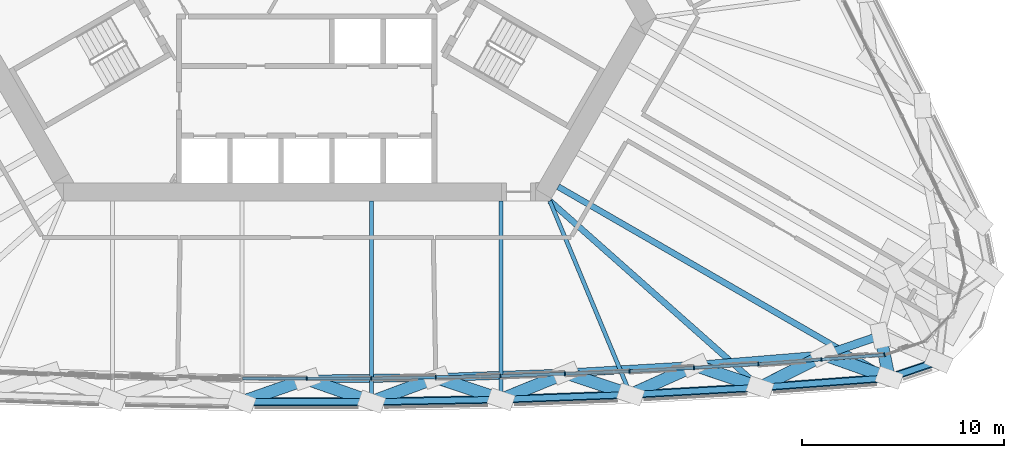
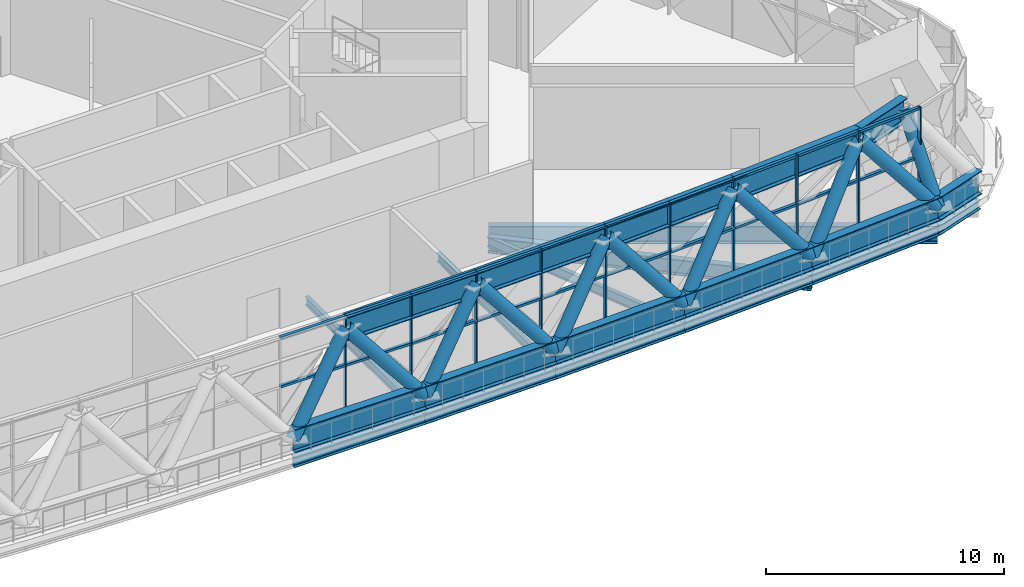
# One storey, part 5 of 43: 52 members, 11 beams, 2 elements without a shape of their own.
"""IFC4 building model written with IfcOpenShell, lengths in metres."""

from ifc_helpers import new_model, si_unit, direction, frame, origin, origin_2d, place, context, subcontext, project, spatial, rectangle, hollow_circle, i_section, extrude, material, material_profile, profile_set, type_object, element, aggregate, save


model = new_model("IFC4")

# Units and contexts
model_context = context("Model", 3, precision=1e-05, world=origin(), true_north=direction((0.0, 1.0)))
body_context = subcontext(model_context, "Body", "Model", "MODEL_VIEW")
ifc_project = project(units=[si_unit("LENGTHUNIT", "METRE"), si_unit("AREAUNIT", "SQUARE_METRE"), si_unit("VOLUMEUNIT", "CUBIC_METRE"), si_unit("PLANEANGLEUNIT", "RADIAN"), si_unit("MASSUNIT", "GRAM", prefix="KILO")], contexts=[model_context])

# Site, building, storey
site_placement = place(None, origin())
site = spatial("IfcSite", under=ifc_project, at=site_placement, CompositionType="ELEMENT")
building_placement = place(site_placement, origin())
building = spatial("IfcBuilding", under=site, at=building_placement, Name="Mestral Congress Tower", CompositionType="ELEMENT")
storey_placement = place(building_placement, frame((0.0, 0.0, 78.300048828125)))
storey = spatial("IfcBuildingStorey", under=building, at=storey_placement, Name="L18", CompositionType="ELEMENT", Elevation=78.300048828125)

# Members
ifc_material_1 = material(Name="Steel S355", Category="steel")
ifc_material_profile_1 = material_profile(ifc_material_1, i_section(OverallWidth=0.39990234375, OverallDepth=1.199951171875, WebThickness=0.02001953125, FlangeThickness=0.0400390625, FilletRadius=0.010009765625, at=origin_2d()), Name="WPG 1200")
ifc_profile_set_1 = profile_set([ifc_material_profile_1], Name="Steel S355")
member_type_1 = type_object("IfcMemberType", Name="Belt chord WPG 1200 S355", PredefinedType="CHORD", material=ifc_profile_set_1)
for number, where, z_axis, x_axis, name in (
    (1, (-3.199951171875, -22.9130859375, 0.599853515625), (1.0, 0.0, 0.0), (0.0, 1.0, 0.0), "MB-L18-BC1-S04"),
    (2, (3.199951171875, -22.9130859375, 0.599853515625), (0.99982954269, 0.018463086557, 0.0), (-0.018463086557, 0.99982954269, 0.0), "MB-L18-BC1-S05"),
    (3, (9.598876953125, -22.794921875, 0.599853515625), (0.999316557166, 0.0369650994, 0.0), (-0.0369650994, 0.999316557166, 0.0), "MB-L18-BC1-S06"),
    (4, (15.994384765625, -22.558349609375, 0.599853515625), (0.998462699826, 0.055427764302, 0.0), (-0.055427764302, 0.998462699826, 0.0), "MB-L18-BC1-S07"),
    (5, (22.384521484375, -22.20361328125, 0.599853515625), (0.997266192922, 0.073892763204, 0.0), (-0.073892763204, 0.997266192922, 0.0), "MB-L18-BC1-S08"),
):
    element("IfcMember", number, at=place(storey_placement, frame(where, z_axis=z_axis, x_axis=x_axis)), inside=storey, type_object=member_type_1, Name=name, PredefinedType="CHORD", context=body_context, shape_type="SweptSolid", body=[
        extrude(i_section(OverallWidth=0.39990234375, OverallDepth=1.199951171875, WebThickness=0.02001953125, FlangeThickness=0.0400390625, FilletRadius=0.010009765625, at=origin_2d()), origin(), (0.0, 0.0, 1.0), 6.39990234375),
    ])
member_1_placement = place(storey_placement, frame((28.766845703125, -21.730712890625, 0.599853515625), z_axis=(0.947913310096, 0.318528423446, 0.0), x_axis=(-0.318528423446, 0.947913310096, 0.0)))
element("IfcMember", 6, at=member_1_placement, inside=storey, type_object=member_type_1, Name="MB-L18-BC1-S09", PredefinedType="CHORD", context=body_context, shape_type="SweptSolid", body=[
    extrude(i_section(OverallWidth=0.39990234375, OverallDepth=1.199951171875, WebThickness=0.02001953125, FlangeThickness=0.0400390625, FilletRadius=0.010009765625, at=origin_2d()), origin(), (0.0, 0.0, 1.0), 2.57763671875),
])
for number, where, z_axis, x_axis, name in (
    (7, (0.0, -21.793701171875, 4.550048828125), (0.999931419324, 0.011711389659, 0.0), (-0.011711389659, 0.999931419324, 0.0), "MB-L18-TC1-S04"),
    (8, (6.3994140625, -21.71875, 4.550048828125), (0.999385298652, 0.035057450548, 0.0), (-0.035057450548, 0.999385298652, 0.0), "MB-L18-TC1-S05"),
    (9, (12.79541015625, -21.494384765625, 4.550048828125), (0.998290777072, 0.058442488077, 0.0), (-0.058442488077, 0.998290777072, 0.0), "MB-L18-TC1-S06"),
    (10, (19.184326171875, -21.120361328125, 4.550048828125), (0.996652784164, 0.081751011118, 0.0), (-0.081751011118, 0.996652784164, 0.0), "MB-L18-TC1-S07"),
):
    element("IfcMember", number, at=place(storey_placement, frame(where, z_axis=z_axis, x_axis=x_axis)), inside=storey, type_object=member_type_1, Name=name, PredefinedType="CHORD", context=body_context, shape_type="SweptSolid", body=[
        extrude(i_section(OverallWidth=0.39990234375, OverallDepth=1.199951171875, WebThickness=0.02001953125, FlangeThickness=0.0400390625, FilletRadius=0.010009765625, at=origin_2d()), origin(), (0.0, 0.0, 1.0), 6.39990234375),
    ])
member_2_placement = place(storey_placement, frame((25.562744140625, -20.59716796875, 4.550048828125), z_axis=(0.945407528936, 0.32589047889, 0.0), x_axis=(-0.32589047889, 0.945407528936, 0.0)))
element("IfcMember", 11, at=member_2_placement, inside=storey, type_object=member_type_1, Name="MB-L18-TC1-S08", PredefinedType="CHORD", context=body_context, shape_type="SweptSolid", body=[
    extrude(i_section(OverallWidth=0.39990234375, OverallDepth=1.199951171875, WebThickness=0.02001953125, FlangeThickness=0.0400390625, FilletRadius=0.010009765625, at=origin_2d()), origin(), (0.0, 0.0, 1.0), 2.928466796875),
])
ifc_material_profile_2 = material_profile(ifc_material_1, hollow_circle(Radius=0.304931640625, WallThickness=0.02490234375, at=origin_2d()), Name="CHS 610x25")
ifc_profile_set_2 = profile_set([ifc_material_profile_2], Name="Steel S355")
member_type_2 = type_object("IfcMemberType", Name="Belt diagonal CHS 610x25 S355", PredefinedType="BRACE", material=ifc_profile_set_2)
for number, where, z_axis, x_axis, name in (
    (12, (-3.199951171875, -22.9130859375, 0.599853515625), (0.614730451604, 0.21504075079, 0.758857000607), (-0.330193236064, 0.943913357707, 0.0), "MD-L18-BD1-S04.S04"),
    (13, (3.199951171875, -22.9130859375, 0.599853515625), (-0.614730451604, 0.21504075079, 0.758857000607), (-0.330193236064, -0.943913357707, 0.0), "MD-L18-BD1-S05.S04"),
):
    element("IfcMember", number, at=place(storey_placement, frame(where, z_axis=z_axis, x_axis=x_axis)), inside=storey, type_object=member_type_2, Name=name, PredefinedType="BRACE", context=body_context, shape_type="SweptSolid", body=[
        extrude(hollow_circle(Radius=0.304931640625, WallThickness=0.02490234375, at=origin_2d()), origin(), (0.0, 0.0, 1.0), 5.20556640625),
    ])
member_3_placement = place(storey_placement, frame((3.199951171875, -22.9130859375, 0.599853515625), z_axis=(0.612714342998, 0.228721752457, 0.756483637521), x_axis=(-0.349720702198, 0.936854007012, 0.0)))
element("IfcMember", 14, at=member_3_placement, inside=storey, type_object=member_type_2, Name="MD-L18-BD1-S05.S05", PredefinedType="BRACE", context=body_context, shape_type="SweptSolid", body=[
    extrude(hollow_circle(Radius=0.304931640625, WallThickness=0.02490234375, at=origin_2d()), origin(), (0.0, 0.0, 1.0), 5.2216796875),
])
member_4_placement = place(storey_placement, frame((9.598876953125, -22.794921875, 0.599853515625), z_axis=(-0.615751154668, 0.207114161753, 0.760233016599), x_axis=(-0.318808597266, -0.947819116873, 0.0)))
element("IfcMember", 15, at=member_4_placement, inside=storey, type_object=member_type_2, Name="MD-L18-BD1-S06.S05", PredefinedType="BRACE", context=body_context, shape_type="SweptSolid", body=[
    extrude(hollow_circle(Radius=0.304931640625, WallThickness=0.02490234375, at=origin_2d()), origin(), (0.0, 0.0, 1.0), 5.196044921875),
])
member_5_placement = place(storey_placement, frame((9.598876953125, -22.794921875, 0.599853515625), z_axis=(0.609408012251, 0.247942906993, 0.75309108976), x_axis=(-0.376860887221, 0.926269869791, 0.0)))
element("IfcMember", 16, at=member_5_placement, inside=storey, type_object=member_type_2, Name="MD-L18-BD1-S06.S06", PredefinedType="BRACE", context=body_context, shape_type="SweptSolid", body=[
    extrude(hollow_circle(Radius=0.304931640625, WallThickness=0.02490234375, at=origin_2d()), origin(), (0.0, 0.0, 1.0), 5.245361328125),
])
member_6_placement = place(storey_placement, frame((15.994384765625, -22.558349609375, 0.599853515625), z_axis=(-0.615990938382, 0.204875868845, 0.76064514867), x_axis=(-0.315597659649, -0.948893101052, 0.0)))
element("IfcMember", 17, at=member_6_placement, inside=storey, type_object=member_type_2, Name="MD-L18-BD1-S07.S06", PredefinedType="BRACE", context=body_context, shape_type="SweptSolid", body=[
    extrude(hollow_circle(Radius=0.304931640625, WallThickness=0.02490234375, at=origin_2d()), origin(), (0.0, 0.0, 1.0), 5.193115234375),
])
member_7_placement = place(storey_placement, frame((15.994384765625, -22.558349609375, 0.599853515625), z_axis=(0.604489803802, 0.272496934364, 0.748556943634), x_axis=(-0.410962227958, 0.911652371901, 0.0)))
element("IfcMember", 18, at=member_7_placement, inside=storey, type_object=member_type_2, Name="MD-L18-BD1-S07.S07", PredefinedType="BRACE", context=body_context, shape_type="SweptSolid", body=[
    extrude(hollow_circle(Radius=0.304931640625, WallThickness=0.02490234375, at=origin_2d()), origin(), (0.0, 0.0, 1.0), 5.277099609375),
])
member_8_placement = place(storey_placement, frame((22.384521484375, -22.20361328125, 0.599853515625), z_axis=(-0.61566439236, 0.208399672635, 0.759951927707), x_axis=(-0.320625100325, -0.947206178739, 0.0)))
element("IfcMember", 19, at=member_8_placement, inside=storey, type_object=member_type_2, Name="MD-L18-BD1-S08.S07", PredefinedType="BRACE", context=body_context, shape_type="SweptSolid", body=[
    extrude(hollow_circle(Radius=0.304931640625, WallThickness=0.02490234375, at=origin_2d()), origin(), (0.0, 0.0, 1.0), 5.197998046875),
])
member_9_placement = place(storey_placement, frame((22.384521484375, -22.20361328125, 0.599853515625), z_axis=(0.597585455205, 0.302051950779, 0.742735647965), x_axis=(-0.451103380277, 0.892471702802, 0.0)))
element("IfcMember", 20, at=member_9_placement, inside=storey, type_object=member_type_2, Name="MD-L18-BD1-S08.S08", PredefinedType="BRACE", context=body_context, shape_type="SweptSolid", body=[
    extrude(hollow_circle(Radius=0.304931640625, WallThickness=0.02490234375, at=origin_2d()), origin(), (0.0, 0.0, 1.0), 5.318359375),
])
member_10_placement = place(storey_placement, frame((28.766845703125, -21.730712890625, 0.599853515625), z_axis=(-0.614864613856, 0.217526394554, 0.758039427932), x_axis=(-0.33352266691, -0.942742080665, 0.0)))
element("IfcMember", 21, at=member_10_placement, inside=storey, type_object=member_type_2, Name="MD-L18-BD1-S09.S08", PredefinedType="BRACE", context=body_context, shape_type="SweptSolid", body=[
    extrude(hollow_circle(Radius=0.304931640625, WallThickness=0.02490234375, at=origin_2d()), origin(), (0.0, 0.0, 1.0), 5.211181640625),
])
member_11_placement = place(storey_placement, frame((28.766845703125, -21.730712890625, 0.599853515625), z_axis=(-0.097020768835, 0.465090591409, 0.879930515551), x_axis=(-0.978927056932, -0.204210227966, 0.0)))
element("IfcMember", 22, at=member_11_placement, inside=storey, type_object=member_type_2, Name="MD-L18-BD1-S09.SE1", PredefinedType="BRACE", context=body_context, shape_type="SweptSolid", body=[
    extrude(hollow_circle(Radius=0.304931640625, WallThickness=0.02490234375, at=origin_2d()), origin(), (0.0, 0.0, 1.0), 4.4892578125),
])

# Curtain wall, members
ifc_material_2 = material(Name="Clear low-emissivity double glazing", Category="glass")
curtain_wall_type = type_object("IfcCurtainWallType", Name="Facade refuge band screen", PredefinedType="USERDEFINED", material=ifc_material_2)
placement = place(storey_placement, origin())
curtain_wall_1 = element("IfcCurtainWall", 23, at=placement, inside=storey, type_object=curtain_wall_type, Name="Facade refuge band screen face 1", ObjectType="CURTAIN WALL", PredefinedType="USERDEFINED")
ifc_material_3 = material(Name="Anodised aluminium", Category="aluminium")
ifc_material_profile_3 = material_profile(ifc_material_3, rectangle(XDim=0.179931640625, YDim=0.06005859375, at=origin_2d()), Name="CW3 mullion 180 x 60")
ifc_profile_set_3 = profile_set([ifc_material_profile_3], Name="Anodised aluminium")
member_type_3 = type_object("IfcMemberType", Name="Facade refuge band screen mullion", PredefinedType="MULLION", material=ifc_profile_set_3)
member_12_placement = place(storey_placement, frame((0.0, -21.76318359375, 0.0), z_axis=(0.0, 0.0, 1.0), x_axis=(0.0, -1.0, 0.0)))
member_12 = element("IfcMember", 24, at=member_12_placement, type_object=member_type_3, Name="Facade refuge band screen mullion", PredefinedType="MULLION", context=body_context, shape_type="SweptSolid", body=[
    extrude(rectangle(XDim=0.179931640625, YDim=0.06005859375, at=origin_2d()), origin(), (0.0, 0.0, 1.0), 5.14990234375),
])
member_13_placement = place(storey_placement, frame((3.189208984375, -21.76318359375, 0.0), z_axis=(0.0, 0.0, 1.0), x_axis=(0.009243132098, -0.999957281342, 0.0)))
member_13 = element("IfcMember", 25, at=member_13_placement, type_object=member_type_3, Name="Facade refuge band screen mullion", PredefinedType="MULLION", context=body_context, shape_type="SweptSolid", body=[
    extrude(rectangle(XDim=0.179931640625, YDim=0.06005859375, at=origin_2d()), origin(), (0.0, 0.0, 1.0), 5.14990234375),
])
member_14_placement = place(storey_placement, frame((6.378173828125, -21.704345703125, 0.0), z_axis=(0.0, 0.0, 1.0), x_axis=(0.018485474488, -0.999829129018, 0.0)))
member_14 = element("IfcMember", 26, at=member_14_placement, type_object=member_type_3, Name="Facade refuge band screen mullion", PredefinedType="MULLION", context=body_context, shape_type="SweptSolid", body=[
    extrude(rectangle(XDim=0.179931640625, YDim=0.06005859375, at=origin_2d()), origin(), (0.0, 0.0, 1.0), 5.14990234375),
])
member_15_placement = place(storey_placement, frame((9.56689453125, -21.645263671875, 0.0), z_axis=(0.0, 0.0, 1.0), x_axis=(0.027726237529, -0.999615553977, 0.0)))
member_15 = element("IfcMember", 27, at=member_15_placement, type_object=member_type_3, Name="Facade refuge band screen mullion", PredefinedType="MULLION", context=body_context, shape_type="SweptSolid", body=[
    extrude(rectangle(XDim=0.179931640625, YDim=0.06005859375, at=origin_2d()), origin(), (0.0, 0.0, 1.0), 5.14990234375),
])
member_16_placement = place(storey_placement, frame((12.75390625, -21.52734375, 0.0), z_axis=(0.0, 0.0, 1.0), x_axis=(0.036964631714, -0.999316574466, 0.0)))
member_16 = element("IfcMember", 28, at=member_16_placement, type_object=member_type_3, Name="Facade refuge band screen mullion", PredefinedType="MULLION", context=body_context, shape_type="SweptSolid", body=[
    extrude(rectangle(XDim=0.179931640625, YDim=0.06005859375, at=origin_2d()), origin(), (0.0, 0.0, 1.0), 5.14990234375),
])
member_17_placement = place(storey_placement, frame((15.941162109375, -21.409423828125, 0.0), z_axis=(0.0, 0.0, 1.0), x_axis=(0.04619986774, -0.998932216029, 0.0)))
member_17 = element("IfcMember", 29, at=member_17_placement, type_object=member_type_3, Name="Facade refuge band screen mullion", PredefinedType="MULLION", context=body_context, shape_type="SweptSolid", body=[
    extrude(rectangle(XDim=0.179931640625, YDim=0.06005859375, at=origin_2d()), origin(), (0.0, 0.0, 1.0), 5.14990234375),
])
member_18_placement = place(storey_placement, frame((19.12548828125, -21.232666015625, 0.0), z_axis=(0.0, 0.0, 1.0), x_axis=(0.055431156574, -0.998462511505, 0.0)))
member_18 = element("IfcMember", 30, at=member_18_placement, type_object=member_type_3, Name="Facade refuge band screen mullion", PredefinedType="MULLION", context=body_context, shape_type="SweptSolid", body=[
    extrude(rectangle(XDim=0.179931640625, YDim=0.06005859375, at=origin_2d()), origin(), (0.0, 0.0, 1.0), 5.14990234375),
])
member_19_placement = place(storey_placement, frame((22.31005859375, -21.055908203125, 0.0), z_axis=(0.0, 0.0, 1.0), x_axis=(0.064657709518, -0.997907501024, 0.0)))
member_19 = element("IfcMember", 31, at=member_19_placement, type_object=member_type_3, Name="Facade refuge band screen mullion", PredefinedType="MULLION", context=body_context, shape_type="SweptSolid", body=[
    extrude(rectangle(XDim=0.179931640625, YDim=0.06005859375, at=origin_2d()), origin(), (0.0, 0.0, 1.0), 5.14990234375),
])
member_20_placement = place(storey_placement, frame((25.423828125, -20.8251953125, 0.0), z_axis=(0.0, 0.0, 1.0), x_axis=(0.073878738281, -0.997267232005, 0.0)))
member_20 = element("IfcMember", 32, at=member_20_placement, type_object=member_type_3, Name="Facade refuge band screen mullion", PredefinedType="MULLION", context=body_context, shape_type="SweptSolid", body=[
    extrude(rectangle(XDim=0.179931640625, YDim=0.06005859375, at=origin_2d()), origin(), (0.0, 0.0, 1.0), 5.14990234375),
])

# Curtain wall, member
curtain_wall_2 = element("IfcCurtainWall", 33, at=placement, inside=storey, type_object=curtain_wall_type, Name="Facade refuge band screen corner 1", ObjectType="CURTAIN WALL", PredefinedType="USERDEFINED")
member_21_placement = place(storey_placement, frame((28.53759765625, -20.594482421875, 0.0), z_axis=(0.0, 0.0, 1.0), x_axis=(0.318542428143, -0.947908603966, 0.0)))
member_21 = element("IfcMember", 34, at=member_21_placement, type_object=member_type_3, Name="Facade refuge band screen mullion", PredefinedType="MULLION", context=body_context, shape_type="SweptSolid", body=[
    extrude(rectangle(XDim=0.179931640625, YDim=0.06005859375, at=origin_2d()), origin(), (0.0, 0.0, 1.0), 5.14990234375),
])
aggregate(curtain_wall_2, [member_21])

# Member
ifc_material_profile_4 = material_profile(ifc_material_3, rectangle(XDim=0.14990234375, YDim=0.1201171875, at=origin_2d()), Name="CW3 transom 150 x 120")
ifc_profile_set_4 = profile_set([ifc_material_profile_4], Name="Anodised aluminium")
member_type_4 = type_object("IfcMemberType", Name="Facade refuge band screen transom", PredefinedType="USERDEFINED", material=ifc_profile_set_4)
member_22_placement = place(storey_placement, frame((-3.1591796875, -21.76318359375, 2.599853515625), z_axis=(1.0, 0.0, 0.0), x_axis=(0.0, 1.0, 0.0)))
member_22 = element("IfcMember", 35, at=member_22_placement, type_object=member_type_4, Name="Facade refuge band screen transom", ObjectType="TRANSOM", PredefinedType="USERDEFINED", context=body_context, shape_type="SweptSolid", body=[
    extrude(rectangle(XDim=0.14990234375, YDim=0.1201171875, at=origin_2d()), origin(), (0.0, 0.0, 1.0), 3.129150390625),
])

member_23_placement = place(storey_placement, frame((-3.1591796875, -21.76318359375, 5.08984375), z_axis=(1.0, 0.0, 0.0), x_axis=(0.0, 1.0, 0.0)))
member_23 = element("IfcMember", 36, at=member_23_placement, type_object=member_type_4, Name="Facade refuge band screen transom", ObjectType="TRANSOM", PredefinedType="USERDEFINED", context=body_context, shape_type="SweptSolid", body=[
    extrude(rectangle(XDim=0.14990234375, YDim=0.1201171875, at=origin_2d()), origin(), (0.0, 0.0, 1.0), 3.129150390625),
])

member_24_placement = place(storey_placement, frame((0.030029296875, -21.76318359375, 2.599853515625), z_axis=(1.0, 0.0, 0.0), x_axis=(0.0, 1.0, 0.0)))
member_24 = element("IfcMember", 37, at=member_24_placement, type_object=member_type_4, Name="Facade refuge band screen transom", ObjectType="TRANSOM", PredefinedType="USERDEFINED", context=body_context, shape_type="SweptSolid", body=[
    extrude(rectangle(XDim=0.14990234375, YDim=0.1201171875, at=origin_2d()), origin(), (0.0, 0.0, 1.0), 3.129150390625),
])

member_25_placement = place(storey_placement, frame((0.030029296875, -21.76318359375, 5.08984375), z_axis=(1.0, 0.0, 0.0), x_axis=(0.0, 1.0, 0.0)))
member_25 = element("IfcMember", 38, at=member_25_placement, type_object=member_type_4, Name="Facade refuge band screen transom", ObjectType="TRANSOM", PredefinedType="USERDEFINED", context=body_context, shape_type="SweptSolid", body=[
    extrude(rectangle(XDim=0.14990234375, YDim=0.1201171875, at=origin_2d()), origin(), (0.0, 0.0, 1.0), 3.129150390625),
])

member_26_placement = place(storey_placement, frame((3.21923828125, -21.7626953125, 2.599853515625), z_axis=(0.999829057391, 0.018489348205, 0.0), x_axis=(-0.018489348205, 0.999829057391, 0.0)))
member_26 = element("IfcMember", 39, at=member_26_placement, type_object=member_type_4, Name="Facade refuge band screen transom", ObjectType="TRANSOM", PredefinedType="USERDEFINED", context=body_context, shape_type="SweptSolid", body=[
    extrude(rectangle(XDim=0.14990234375, YDim=0.1201171875, at=origin_2d()), origin(), (0.0, 0.0, 1.0), 3.12939453125),
])

member_27_placement = place(storey_placement, frame((3.21923828125, -21.7626953125, 5.08984375), z_axis=(0.999829057391, 0.018489348205, 0.0), x_axis=(-0.018489348205, 0.999829057391, 0.0)))
member_27 = element("IfcMember", 40, at=member_27_placement, type_object=member_type_4, Name="Facade refuge band screen transom", ObjectType="TRANSOM", PredefinedType="USERDEFINED", context=body_context, shape_type="SweptSolid", body=[
    extrude(rectangle(XDim=0.14990234375, YDim=0.1201171875, at=origin_2d()), origin(), (0.0, 0.0, 1.0), 3.12939453125),
])

member_28_placement = place(storey_placement, frame((6.408203125, -21.70361328125, 2.599853515625), z_axis=(0.999830470087, 0.018412796796, 0.0), x_axis=(-0.018412796796, 0.999830470087, 0.0)))
member_28 = element("IfcMember", 41, at=member_28_placement, type_object=member_type_4, Name="Facade refuge band screen transom", ObjectType="TRANSOM", PredefinedType="USERDEFINED", context=body_context, shape_type="SweptSolid", body=[
    extrude(rectangle(XDim=0.14990234375, YDim=0.1201171875, at=origin_2d()), origin(), (0.0, 0.0, 1.0), 3.129150390625),
])

member_29_placement = place(storey_placement, frame((6.408203125, -21.70361328125, 5.08984375), z_axis=(0.999830470087, 0.018412796796, 0.0), x_axis=(-0.018412796796, 0.999830470087, 0.0)))
member_29 = element("IfcMember", 42, at=member_29_placement, type_object=member_type_4, Name="Facade refuge band screen transom", ObjectType="TRANSOM", PredefinedType="USERDEFINED", context=body_context, shape_type="SweptSolid", body=[
    extrude(rectangle(XDim=0.14990234375, YDim=0.1201171875, at=origin_2d()), origin(), (0.0, 0.0, 1.0), 3.129150390625),
])

member_30_placement = place(storey_placement, frame((9.596923828125, -21.644287109375, 2.599853515625), z_axis=(0.999316008857, 0.036979919447, 0.0), x_axis=(-0.036979919447, 0.999316008857, 0.0)))
member_30 = element("IfcMember", 43, at=member_30_placement, type_object=member_type_4, Name="Facade refuge band screen transom", ObjectType="TRANSOM", PredefinedType="USERDEFINED", context=body_context, shape_type="SweptSolid", body=[
    extrude(rectangle(XDim=0.14990234375, YDim=0.1201171875, at=origin_2d()), origin(), (0.0, 0.0, 1.0), 3.12939453125),
])

member_31_placement = place(storey_placement, frame((9.596923828125, -21.644287109375, 5.08984375), z_axis=(0.999316008857, 0.036979919447, 0.0), x_axis=(-0.036979919447, 0.999316008857, 0.0)))
member_31 = element("IfcMember", 44, at=member_31_placement, type_object=member_type_4, Name="Facade refuge band screen transom", ObjectType="TRANSOM", PredefinedType="USERDEFINED", context=body_context, shape_type="SweptSolid", body=[
    extrude(rectangle(XDim=0.14990234375, YDim=0.1201171875, at=origin_2d()), origin(), (0.0, 0.0, 1.0), 3.12939453125),
])

member_32_placement = place(storey_placement, frame((12.783935546875, -21.5263671875, 2.599853515625), z_axis=(0.999316008857, 0.036979919447, 0.0), x_axis=(-0.036979919447, 0.999316008857, 0.0)))
member_32 = element("IfcMember", 45, at=member_32_placement, type_object=member_type_4, Name="Facade refuge band screen transom", ObjectType="TRANSOM", PredefinedType="USERDEFINED", context=body_context, shape_type="SweptSolid", body=[
    extrude(rectangle(XDim=0.14990234375, YDim=0.1201171875, at=origin_2d()), origin(), (0.0, 0.0, 1.0), 3.12939453125),
])

member_33_placement = place(storey_placement, frame((12.783935546875, -21.5263671875, 5.08984375), z_axis=(0.999316008857, 0.036979919447, 0.0), x_axis=(-0.036979919447, 0.999316008857, 0.0)))
member_33 = element("IfcMember", 46, at=member_33_placement, type_object=member_type_4, Name="Facade refuge band screen transom", ObjectType="TRANSOM", PredefinedType="USERDEFINED", context=body_context, shape_type="SweptSolid", body=[
    extrude(rectangle(XDim=0.14990234375, YDim=0.1201171875, at=origin_2d()), origin(), (0.0, 0.0, 1.0), 3.12939453125),
])

member_34_placement = place(storey_placement, frame((15.97119140625, -21.407958984375, 2.599853515625), z_axis=(0.998460353205, 0.055470019623, 0.0), x_axis=(-0.055470019623, 0.998460353205, 0.0)))
member_34 = element("IfcMember", 47, at=member_34_placement, type_object=member_type_4, Name="Facade refuge band screen transom", ObjectType="TRANSOM", PredefinedType="USERDEFINED", context=body_context, shape_type="SweptSolid", body=[
    extrude(rectangle(XDim=0.14990234375, YDim=0.1201171875, at=origin_2d()), origin(), (0.0, 0.0, 1.0), 3.12939453125),
])

member_35_placement = place(storey_placement, frame((15.97119140625, -21.407958984375, 5.08984375), z_axis=(0.998460353205, 0.055470019623, 0.0), x_axis=(-0.055470019623, 0.998460353205, 0.0)))
member_35 = element("IfcMember", 48, at=member_35_placement, type_object=member_type_4, Name="Facade refuge band screen transom", ObjectType="TRANSOM", PredefinedType="USERDEFINED", context=body_context, shape_type="SweptSolid", body=[
    extrude(rectangle(XDim=0.14990234375, YDim=0.1201171875, at=origin_2d()), origin(), (0.0, 0.0, 1.0), 3.12939453125),
])

member_36_placement = place(storey_placement, frame((19.155517578125, -21.231201171875, 2.599853515625), z_axis=(0.998460353205, 0.055470019623, 0.0), x_axis=(-0.055470019623, 0.998460353205, 0.0)))
member_36 = element("IfcMember", 49, at=member_36_placement, type_object=member_type_4, Name="Facade refuge band screen transom", ObjectType="TRANSOM", PredefinedType="USERDEFINED", context=body_context, shape_type="SweptSolid", body=[
    extrude(rectangle(XDim=0.14990234375, YDim=0.1201171875, at=origin_2d()), origin(), (0.0, 0.0, 1.0), 3.12939453125),
])

member_37_placement = place(storey_placement, frame((19.155517578125, -21.231201171875, 5.08984375), z_axis=(0.998460353205, 0.055470019623, 0.0), x_axis=(-0.055470019623, 0.998460353205, 0.0)))
member_37 = element("IfcMember", 50, at=member_37_placement, type_object=member_type_4, Name="Facade refuge band screen transom", ObjectType="TRANSOM", PredefinedType="USERDEFINED", context=body_context, shape_type="SweptSolid", body=[
    extrude(rectangle(XDim=0.14990234375, YDim=0.1201171875, at=origin_2d()), origin(), (0.0, 0.0, 1.0), 3.12939453125),
])

member_38_placement = place(storey_placement, frame((22.33984375, -21.0537109375, 2.599853515625), z_axis=(0.997265361131, 0.07390398831, 0.0), x_axis=(-0.07390398831, 0.997265361131, 0.0)))
member_38 = element("IfcMember", 51, at=member_38_placement, type_object=member_type_4, Name="Facade refuge band screen transom", ObjectType="TRANSOM", PredefinedType="USERDEFINED", context=body_context, shape_type="SweptSolid", body=[
    extrude(rectangle(XDim=0.14990234375, YDim=0.1201171875, at=origin_2d()), origin(), (0.0, 0.0, 1.0), 3.062255859375),
])

member_39_placement = place(storey_placement, frame((22.33984375, -21.0537109375, 5.08984375), z_axis=(0.997265361131, 0.07390398831, 0.0), x_axis=(-0.07390398831, 0.997265361131, 0.0)))
member_39 = element("IfcMember", 52, at=member_39_placement, type_object=member_type_4, Name="Facade refuge band screen transom", ObjectType="TRANSOM", PredefinedType="USERDEFINED", context=body_context, shape_type="SweptSolid", body=[
    extrude(rectangle(XDim=0.14990234375, YDim=0.1201171875, at=origin_2d()), origin(), (0.0, 0.0, 1.0), 3.062255859375),
])

member_40_placement = place(storey_placement, frame((25.45361328125, -20.822998046875, 2.599853515625), z_axis=(0.997265796515, 0.073898112979, 0.0), x_axis=(-0.073898112979, 0.997265796515, 0.0)))
member_40 = element("IfcMember", 53, at=member_40_placement, type_object=member_type_4, Name="Facade refuge band screen transom", ObjectType="TRANSOM", PredefinedType="USERDEFINED", context=body_context, shape_type="SweptSolid", body=[
    extrude(rectangle(XDim=0.14990234375, YDim=0.1201171875, at=origin_2d()), origin(), (0.0, 0.0, 1.0), 3.0625),
])

member_41_placement = place(storey_placement, frame((25.45361328125, -20.822998046875, 5.08984375), z_axis=(0.997265796515, 0.073898112979, 0.0), x_axis=(-0.073898112979, 0.997265796515, 0.0)))
member_41 = element("IfcMember", 54, at=member_41_placement, type_object=member_type_4, Name="Facade refuge band screen transom", ObjectType="TRANSOM", PredefinedType="USERDEFINED", context=body_context, shape_type="SweptSolid", body=[
    extrude(rectangle(XDim=0.14990234375, YDim=0.1201171875, at=origin_2d()), origin(), (0.0, 0.0, 1.0), 3.0625),
])

aggregate(curtain_wall_1, [member_12, member_13, member_14, member_15, member_16, member_17, member_18, member_19, member_20, member_22, member_23, member_24, member_25, member_26, member_27, member_28, member_29, member_30, member_31, member_32, member_33, member_34, member_35, member_36, member_37, member_38, member_39, member_40, member_41])

# Beams
ifc_material_profile_5 = material_profile(ifc_material_1, i_section(OverallWidth=0.300048828125, OverallDepth=0.800048828125, WebThickness=0.017578125, FlangeThickness=0.032958984375, FilletRadius=0.030029296875, at=origin_2d()), Name="HEB 800")
ifc_profile_set_5 = profile_set([ifc_material_profile_5], Name="Steel S355")
beam_type_1 = type_object("IfcBeamType", Name="Floor beam HEB 800 S355", PredefinedType="BEAM", material=ifc_profile_set_5)
beam_1_placement = place(storey_placement, frame((22.384521484375, -22.20361328125, -0.699951171875), z_axis=(-0.748098457573, 0.663587746855, 0.0), x_axis=(-0.663587746855, -0.748098457573, 0.0)))
element("IfcBeam", 55, at=beam_1_placement, inside=storey, type_object=beam_type_1, Name="BM-L18-RB1-S08", PredefinedType="BEAM", context=body_context, shape_type="SweptSolid", body=[
    extrude(i_section(OverallWidth=0.300048828125, OverallDepth=0.800048828125, WebThickness=0.017578125, FlangeThickness=0.032958984375, FilletRadius=0.030029296875, at=origin_2d()), origin(), (0.0, 0.0, 1.0), 13.869384765625),
])
ifc_material_profile_6 = material_profile(ifc_material_1, i_section(OverallWidth=0.300048828125, OverallDepth=0.89990234375, WebThickness=0.0185546875, FlangeThickness=0.034912109375, FilletRadius=0.030029296875, at=origin_2d()), Name="HEB 900")
ifc_profile_set_6 = profile_set([ifc_material_profile_6], Name="Steel S355")
beam_type_2 = type_object("IfcBeamType", Name="Floor beam HEB 900 S355", PredefinedType="BEAM", material=ifc_profile_set_6)
beam_2_placement = place(storey_placement, frame((28.766845703125, -21.730712890625, -0.75), z_axis=(-0.86603009716, 0.499991870746, 0.0), x_axis=(-0.499991870746, -0.86603009716, 0.0)))
element("IfcBeam", 56, at=beam_2_placement, inside=storey, type_object=beam_type_2, Name="BM-L18-RB1-S09", PredefinedType="BEAM", context=body_context, shape_type="SweptSolid", body=[
    extrude(i_section(OverallWidth=0.300048828125, OverallDepth=0.89990234375, WebThickness=0.0185546875, FlangeThickness=0.034912109375, FilletRadius=0.030029296875, at=origin_2d()), origin(), (0.0, 0.0, 1.0), 18.878173828125),
])
ifc_material_profile_7 = material_profile(ifc_material_1, i_section(OverallWidth=0.18994140625, OverallDepth=0.449951171875, WebThickness=0.009521484375, FlangeThickness=0.0146484375, FilletRadius=0.02099609375, at=origin_2d()), Name="IPE 450")
ifc_profile_set_7 = profile_set([ifc_material_profile_7], Name="Steel S355")
beam_type_3 = type_object("IfcBeamType", Name="Floor beam IPE 450 S355", PredefinedType="BEAM", material=ifc_profile_set_7)
beam_3_placement = place(storey_placement, frame((3.199951171875, -22.9130859375, -0.525146484375), z_axis=(0.0, 1.0, 0.0), x_axis=(-1.0, 0.0, 0.0)))
element("IfcBeam", 57, at=beam_3_placement, inside=storey, type_object=beam_type_3, Name="BM-L18-RB1-S05", PredefinedType="BEAM", context=body_context, shape_type="SweptSolid", body=[
    extrude(i_section(OverallWidth=0.18994140625, OverallDepth=0.449951171875, WebThickness=0.009521484375, FlangeThickness=0.0146484375, FilletRadius=0.02099609375, at=origin_2d()), origin(), (0.0, 0.0, 1.0), 9.9130859375),
])
beam_4_placement = place(storey_placement, frame((9.598876953125, -22.794921875, -0.525146484375), z_axis=(0.0, 1.0, 0.0), x_axis=(-1.0, 0.0, 0.0)))
element("IfcBeam", 58, at=beam_4_placement, inside=storey, type_object=beam_type_3, Name="BM-L18-RB1-S06", PredefinedType="BEAM", context=body_context, shape_type="SweptSolid", body=[
    extrude(i_section(OverallWidth=0.18994140625, OverallDepth=0.449951171875, WebThickness=0.009521484375, FlangeThickness=0.0146484375, FilletRadius=0.02099609375, at=origin_2d()), origin(), (0.0, 0.0, 1.0), 9.794921875),
])
ifc_material_profile_8 = material_profile(ifc_material_1, i_section(OverallWidth=0.199951171875, OverallDepth=0.5, WebThickness=0.01025390625, FlangeThickness=0.01611328125, FilletRadius=0.02099609375, at=origin_2d()), Name="IPE 500")
ifc_profile_set_8 = profile_set([ifc_material_profile_8], Name="Steel S355")
beam_type_4 = type_object("IfcBeamType", Name="Floor beam IPE 500 S355", PredefinedType="BEAM", material=ifc_profile_set_8)
beam_5_placement = place(storey_placement, frame((15.994384765625, -22.558349609375, -0.550048828125), z_axis=(-0.384858093786, 0.922975756804, 0.0), x_axis=(-0.922975756804, -0.384858093786, 0.0)))
element("IfcBeam", 59, at=beam_5_placement, inside=storey, type_object=beam_type_4, Name="BM-L18-RB1-S07", PredefinedType="BEAM", context=body_context, shape_type="SweptSolid", body=[
    extrude(i_section(OverallWidth=0.199951171875, OverallDepth=0.5, WebThickness=0.01025390625, FlangeThickness=0.01611328125, FilletRadius=0.02099609375, at=origin_2d()), origin(), (0.0, 0.0, 1.0), 10.35595703125),
])
ifc_material_profile_9 = material_profile(ifc_material_1, i_section(OverallWidth=0.300048828125, OverallDepth=0.489990234375, WebThickness=0.011962890625, FlangeThickness=0.02294921875, FilletRadius=0.027099609375, at=origin_2d()), Name="HEA 500")
ifc_profile_set_9 = profile_set([ifc_material_profile_9], Name="Steel S355")
beam_type_5 = type_object("IfcBeamType", Name="Spandrel beam HEA 500 S355", PredefinedType="BEAM", material=ifc_profile_set_9)
for number, where, z_axis, x_axis, name in (
    (60, (-3.199951171875, -22.9130859375, -0.545166015625), (1.0, 0.0, 0.0), (0.0, 1.0, 0.0), "SP-L18-SB1-S04"),
    (61, (3.199951171875, -22.9130859375, -0.545166015625), (0.99982954269, 0.018463086557, 0.0), (-0.018463086557, 0.99982954269, 0.0), "SP-L18-SB1-S05"),
    (62, (9.598876953125, -22.794921875, -0.545166015625), (0.999316557166, 0.0369650994, 0.0), (-0.0369650994, 0.999316557166, 0.0), "SP-L18-SB1-S06"),
    (63, (15.994384765625, -22.558349609375, -0.545166015625), (0.998462699826, 0.055427764302, 0.0), (-0.055427764302, 0.998462699826, 0.0), "SP-L18-SB1-S07"),
    (64, (22.384521484375, -22.20361328125, -0.545166015625), (0.997266192922, 0.073892763204, 0.0), (-0.073892763204, 0.997266192922, 0.0), "SP-L18-SB1-S08"),
):
    element("IfcBeam", number, at=place(storey_placement, frame(where, z_axis=z_axis, x_axis=x_axis)), inside=storey, type_object=beam_type_5, Name=name, PredefinedType="BEAM", context=body_context, shape_type="SweptSolid", body=[
        extrude(i_section(OverallWidth=0.300048828125, OverallDepth=0.489990234375, WebThickness=0.011962890625, FlangeThickness=0.02294921875, FilletRadius=0.027099609375, at=origin_2d()), origin(), (0.0, 0.0, 1.0), 6.39990234375),
    ])
beam_6_placement = place(storey_placement, frame((28.766845703125, -21.730712890625, -0.545166015625), z_axis=(0.947913310096, 0.318528423446, 0.0), x_axis=(-0.318528423446, 0.947913310096, 0.0)))
element("IfcBeam", 65, at=beam_6_placement, inside=storey, type_object=beam_type_5, Name="SP-L18-SB1-S09", PredefinedType="BEAM", context=body_context, shape_type="SweptSolid", body=[
    extrude(i_section(OverallWidth=0.300048828125, OverallDepth=0.489990234375, WebThickness=0.011962890625, FlangeThickness=0.02294921875, FilletRadius=0.027099609375, at=origin_2d()), origin(), (0.0, 0.0, 1.0), 2.57763671875),
])

save(model, "model.ifc")
